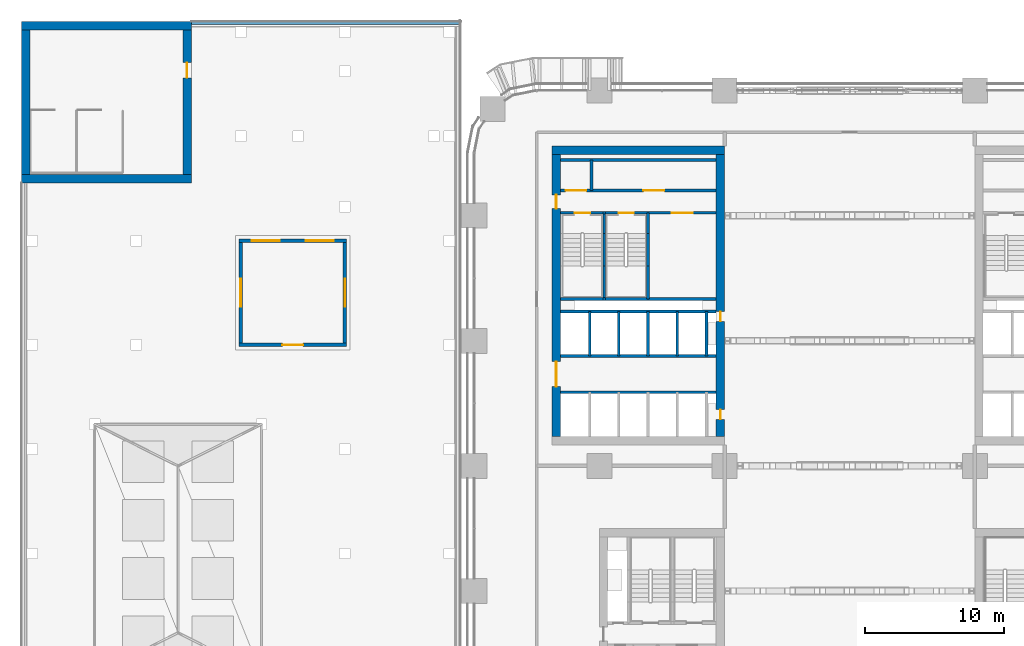
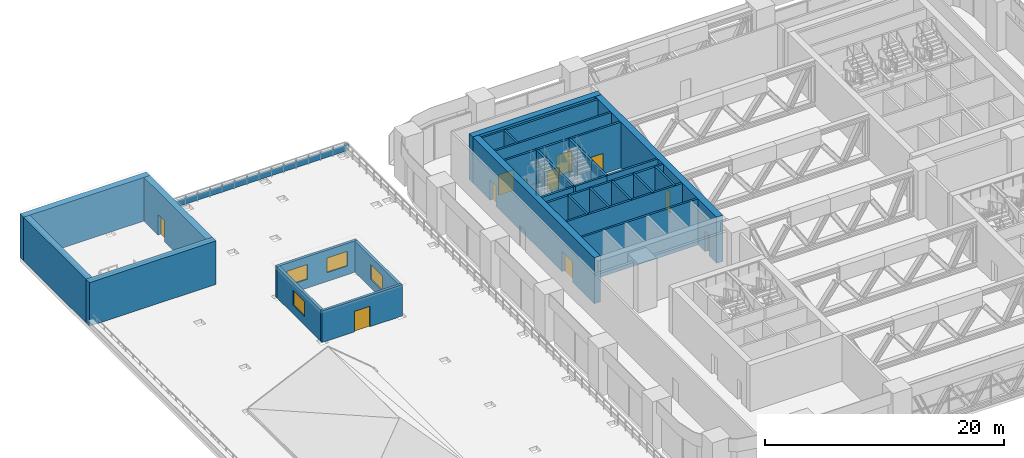
# One storey, part 24 of 35: 37 walls, 11 doors, 4 windows, 15 openings.
"""IFC4 building model written with IfcOpenShell, lengths in metres."""

from ifc_helpers import new_model, si_unit, direction, frame, frame_2d, origin, place, context, subcontext, project, spatial, rectangle, extrude, material, layer, layer_set, type_object, element, fill, save


model = new_model("IFC4")

# Units and contexts
model_context = context("Model", 3, precision=1e-05, world=origin(), true_north=direction((0.0, 1.0)))
body_context = subcontext(model_context, "Body", "Model", "MODEL_VIEW")
ifc_project = project(units=[si_unit("LENGTHUNIT", "METRE"), si_unit("AREAUNIT", "SQUARE_METRE"), si_unit("VOLUMEUNIT", "CUBIC_METRE"), si_unit("PLANEANGLEUNIT", "RADIAN"), si_unit("MASSUNIT", "GRAM", prefix="KILO")], contexts=[model_context])

# Site, building, storey
site_placement = place(None, origin())
site = spatial("IfcSite", under=ifc_project, at=site_placement, CompositionType="ELEMENT")
building_placement = place(site_placement, origin())
building = spatial("IfcBuilding", under=site, at=building_placement, Name="Tessera Arch", CompositionType="ELEMENT")
storey_placement = place(building_placement, frame((0.0, 0.0, 26.0)))
storey = spatial("IfcBuildingStorey", under=building, at=storey_placement, Name="L04", CompositionType="ELEMENT", Elevation=26.0)

# Wall
ifc_material_1 = material(Name="Gypsum board on steel stud", Category="steel")
ifc_layer_1 = layer(ifc_material_1, 0.125)
ifc_layer_set_1 = layer_set([ifc_layer_1], Name="Core partition 125 EI 60")
wall_type_1 = type_object("IfcWallType", Name="Core partition 125 EI 60", PredefinedType="PARTITIONING", material=ifc_layer_set_1)
wall_1_placement = place(storey_placement, frame((8.43994140625, 46.800048828125, 0.0), z_axis=(0.0, 0.0, 1.0), x_axis=(0.0, 1.0, 0.0)))
element("IfcWall", 1, at=wall_1_placement, inside=storey, type_object=wall_type_1, Name="L04 C2 partition wall 3", PredefinedType="PARTITIONING", context=body_context, shape_type="SweptSolid", body=[
    extrude(rectangle(XDim=2.199951171875, YDim=0.199951171875, at=frame_2d((1.10009765625, 0.0))), origin(), (0.0, 0.0, 1.0), 4.699951171875),
])

# Wall, opening, door
wall_2_placement = place(storey_placement, frame((12.5, 45.199951171875, 0.0), z_axis=(0.0, 0.0, 1.0), x_axis=(1.0, 0.0, 0.0)))
wall_2 = element("IfcWall", 2, at=wall_2_placement, inside=storey, type_object=wall_type_1, Name="L04 C2 partition wall 25", PredefinedType="PARTITIONING", context=body_context, shape_type="SweptSolid", body=[
    extrude(rectangle(XDim=4.89990234375, YDim=0.199951171875, at=frame_2d((2.449951171875, 0.0))), origin(), (0.0, 0.0, 1.0), 4.699951171875),
])
opening_1_placement = place(wall_2_placement, frame((1.699951171875, 0.0, 0.0)))
opening_1 = element("IfcOpeningElement", 3, at=opening_1_placement, cuts=wall_2, Name="Opening L04-C21", PredefinedType="OPENING", context=body_context, shape_type="SweptSolid", body=[
    extrude(rectangle(XDim=1.5, YDim=2.10009765625, at=frame_2d((0.75, 1.050048828125))), frame((0.0, 0.10986328125, 0.0), z_axis=(0.0, -1.0, 0.0), x_axis=(1.0, 0.0, 0.0)), (0.0, 0.0, 1.0), 0.219970703125),
])
ifc_material_2 = material(Name="Steel door leaf", Category="steel")
door_type_1 = type_object("IfcDoorType", Name="Plant door FD60 1500 x 2100", OperationType="DOUBLE_DOOR_SINGLE_SWING", PredefinedType="DOOR", material=ifc_material_2)
door_1_placement = place(opening_1_placement, origin())
door_1 = element("IfcDoor", 4, at=door_1_placement, inside=storey, type_object=door_type_1, Name="L04 C2 door 9 C21 type D08", OperationType="DOUBLE_DOOR_SINGLE_SWING", OverallHeight=2.10009765625, OverallWidth=1.5, PredefinedType="DOOR", context=body_context, shape_type="SweptSolid", body=[
    extrude(rectangle(XDim=1.5, YDim=2.10009765625, at=frame_2d((0.75, 1.050048828125))), frame((0.0, 0.02490234375, 0.0), z_axis=(0.0, -1.0, 0.0), x_axis=(1.0, 0.0, 0.0)), (0.0, 0.0, 1.0), 0.050048828125),
])
fill(opening_1, door_1)

# Wall, openings, doors
wall_3_placement = place(storey_placement, frame((6.199951171875, 46.800048828125, 0.0), z_axis=(0.0, 0.0, 1.0), x_axis=(1.0, 0.0, 0.0)))
wall_3 = element("IfcWall", 5, at=wall_3_placement, inside=storey, type_object=wall_type_1, Name="L04 C2 partition wall 29", PredefinedType="PARTITIONING", context=body_context, shape_type="SweptSolid", body=[
    extrude(rectangle(XDim=11.199951171875, YDim=0.199951171875, at=frame_2d((5.60009765625, 0.0))), origin(), (0.0, 0.0, 1.0), 4.699951171875),
])
opening_2_placement = place(wall_3_placement, frame((0.3701171875, 0.0, 0.0)))
opening_2 = element("IfcOpeningElement", 6, at=opening_2_placement, cuts=wall_3, Name="Opening L04-C19", PredefinedType="OPENING", context=body_context, shape_type="SweptSolid", body=[
    extrude(rectangle(XDim=1.5, YDim=2.10009765625, at=frame_2d((0.75, 1.050048828125))), frame((0.0, 0.10986328125, 0.0), z_axis=(0.0, -1.0, 0.0), x_axis=(1.0, 0.0, 0.0)), (0.0, 0.0, 1.0), 0.219970703125),
])
opening_3_placement = place(wall_3_placement, frame((5.969970703125, 0.0, 0.0)))
opening_3 = element("IfcOpeningElement", 7, at=opening_3_placement, cuts=wall_3, Name="Opening L04-C20", PredefinedType="OPENING", context=body_context, shape_type="SweptSolid", body=[
    extrude(rectangle(XDim=1.5, YDim=2.10009765625, at=frame_2d((0.75, 1.050048828125))), frame((0.0, 0.10986328125, 0.0), z_axis=(0.0, -1.0, 0.0), x_axis=(1.0, 0.0, 0.0)), (0.0, 0.0, 1.0), 0.219970703125),
])
door_2_placement = place(opening_2_placement, origin())
door_2 = element("IfcDoor", 8, at=door_2_placement, inside=storey, type_object=door_type_1, Name="L04 C2 door 7 C19 type D08", OperationType="DOUBLE_DOOR_SINGLE_SWING", OverallHeight=2.10009765625, OverallWidth=1.5, PredefinedType="DOOR", context=body_context, shape_type="SweptSolid", body=[
    extrude(rectangle(XDim=1.5, YDim=2.10009765625, at=frame_2d((0.75, 1.050048828125))), frame((0.0, 0.02490234375, 0.0), z_axis=(0.0, -1.0, 0.0), x_axis=(1.0, 0.0, 0.0)), (0.0, 0.0, 1.0), 0.050048828125),
])
fill(opening_2, door_2)
door_3_placement = place(opening_3_placement, origin())
door_3 = element("IfcDoor", 9, at=door_3_placement, inside=storey, type_object=door_type_1, Name="L04 C2 door 8 C20 type D08", OperationType="DOUBLE_DOOR_SINGLE_SWING", OverallHeight=2.10009765625, OverallWidth=1.5, PredefinedType="DOOR", context=body_context, shape_type="SweptSolid", body=[
    extrude(rectangle(XDim=1.5, YDim=2.10009765625, at=frame_2d((0.75, 1.050048828125))), frame((0.0, 0.02490234375, 0.0), z_axis=(0.0, -1.0, 0.0), x_axis=(1.0, 0.0, 0.0)), (0.0, 0.0, 1.0), 0.050048828125),
])
fill(opening_3, door_3)

# Walls
wall_4_placement = place(storey_placement, frame((6.199951171875, 49.0, 0.0), z_axis=(0.0, 0.0, 1.0), x_axis=(1.0, 0.0, 0.0)))
element("IfcWall", 10, at=wall_4_placement, inside=storey, type_object=wall_type_1, Name="L04 C2 partition wall 30", PredefinedType="PARTITIONING", context=body_context, shape_type="SweptSolid", body=[
    extrude(rectangle(XDim=11.199951171875, YDim=0.199951171875, at=frame_2d((5.60009765625, 0.0))), origin(), (0.0, 0.0, 1.0), 4.699951171875),
])
ifc_material_3 = material(Name="Concrete C70/85", Category="concrete")
ifc_layer_2 = layer(ifc_material_3, 0.60009765625)
ifc_layer_set_2 = layer_set([ifc_layer_2], Name="Core shell wall 600 C70-85")
wall_type_2 = type_object("IfcWallType", Name="Core shell wall 600 C70-85", PredefinedType="SHEAR", material=ifc_layer_set_2)
wall_5_placement = place(storey_placement, frame((5.60009765625, 49.699951171875, 0.0), z_axis=(0.0, 0.0, 1.0), x_axis=(1.0, 0.0, 0.0)))
element("IfcWall", 11, at=wall_5_placement, inside=storey, type_object=wall_type_2, Name="L04 C2 core wall N", PredefinedType="SHEAR", context=body_context, shape_type="SweptSolid", body=[
    extrude(rectangle(XDim=12.39990234375, YDim=0.60009765625, at=frame_2d((6.199951171875, 0.0))), origin(), (0.0, 0.0, 1.0), 4.699951171875),
])

# Wall, openings, doors
wall_6_placement = place(storey_placement, frame((5.89990234375, 29.10009765625, 0.0), z_axis=(0.0, 0.0, 1.0), x_axis=(0.0, 1.0, 0.0)))
wall_6 = element("IfcWall", 12, at=wall_6_placement, inside=storey, type_object=wall_type_2, Name="L04 C2 core wall W", PredefinedType="SHEAR", context=body_context, shape_type="SweptSolid", body=[
    extrude(rectangle(XDim=20.2998046875, YDim=0.60009765625, at=frame_2d((10.14990234375, 0.0))), origin(), (0.0, 0.0, 1.0), 4.699951171875),
])
opening_4_placement = place(wall_6_placement, frame((3.60009765625, 0.0, 0.0)))
opening_4 = element("IfcOpeningElement", 13, at=opening_4_placement, cuts=wall_6, Name="Opening L04-C15", PredefinedType="OPENING", context=body_context, shape_type="SweptSolid", body=[
    extrude(rectangle(XDim=1.800048828125, YDim=2.10009765625, at=frame_2d((0.89990234375, 1.050048828125))), frame((0.0, 0.31005859375, 0.0), z_axis=(0.0, -1.0, 0.0), x_axis=(1.0, 0.0, 0.0)), (0.0, 0.0, 1.0), 0.6201171875),
])
opening_5_placement = place(wall_6_placement, frame((16.39990234375, 0.0, 0.0)))
opening_5 = element("IfcOpeningElement", 14, at=opening_5_placement, cuts=wall_6, Name="Opening L04-C18", PredefinedType="OPENING", context=body_context, shape_type="SweptSolid", body=[
    extrude(rectangle(XDim=1.0, YDim=2.10009765625, at=frame_2d((0.5, 1.050048828125))), frame((0.0, 0.31005859375, 0.0), z_axis=(0.0, -1.0, 0.0), x_axis=(1.0, 0.0, 0.0)), (0.0, 0.0, 1.0), 0.6201171875),
])
ifc_material_4 = material(Name="Steel door leaf", Category="steel")
door_type_2 = type_object("IfcDoorType", Name="Corridor door FD60 1000 x 2100", OperationType="SINGLE_SWING_LEFT", PredefinedType="DOOR", material=ifc_material_4)
door_4_placement = place(opening_5_placement, origin())
door_4 = element("IfcDoor", 15, at=door_4_placement, inside=storey, type_object=door_type_2, Name="L04 C2 door 6 C18 type D12", OperationType="SINGLE_SWING_RIGHT", OverallHeight=2.10009765625, OverallWidth=1.0, PredefinedType="DOOR", context=body_context, shape_type="SweptSolid", body=[
    extrude(rectangle(XDim=1.0, YDim=2.10009765625, at=frame_2d((0.5, 1.050048828125))), frame((0.0, 0.02490234375, 0.0), z_axis=(0.0, -1.0, 0.0), x_axis=(1.0, 0.0, 0.0)), (0.0, 0.0, 1.0), 0.050048828125),
])
fill(opening_5, door_4)
ifc_material_5 = material(Name="Glazed steel door leaf", Category="steel")
door_type_3 = type_object("IfcDoorType", Name="Lobby double door FD60 1800 x 2100", OperationType="DOUBLE_DOOR_SINGLE_SWING", PredefinedType="DOOR", material=ifc_material_5)
door_5_placement = place(opening_4_placement, origin())
door_5 = element("IfcDoor", 16, at=door_5_placement, inside=storey, type_object=door_type_3, Name="L04 C2 door 3 C15 type D19", OperationType="DOUBLE_DOOR_SINGLE_SWING", OverallHeight=2.10009765625, OverallWidth=1.800048828125, PredefinedType="DOOR", context=body_context, shape_type="SweptSolid", body=[
    extrude(rectangle(XDim=1.800048828125, YDim=2.10009765625, at=frame_2d((0.89990234375, 1.050048828125))), frame((0.0, 0.02490234375, 0.0), z_axis=(0.0, -1.0, 0.0), x_axis=(1.0, 0.0, 0.0)), (0.0, 0.0, 1.0), 0.050048828125),
])
fill(opening_4, door_5)

wall_7_placement = place(storey_placement, frame((17.699951171875, 29.10009765625, 0.0), z_axis=(0.0, 0.0, 1.0), x_axis=(0.0, 1.0, 0.0)))
wall_7 = element("IfcWall", 17, at=wall_7_placement, inside=storey, type_object=wall_type_2, Name="L04 C2 core wall E", PredefinedType="SHEAR", context=body_context, shape_type="SweptSolid", body=[
    extrude(rectangle(XDim=20.2998046875, YDim=0.60009765625, at=frame_2d((10.14990234375, 0.0))), origin(), (0.0, 0.0, 1.0), 4.699951171875),
])
opening_6_placement = place(wall_7_placement, frame((1.25, 0.0, 0.0)))
opening_6 = element("IfcOpeningElement", 18, at=opening_6_placement, cuts=wall_7, Name="Opening L04-C13", PredefinedType="OPENING", context=body_context, shape_type="SweptSolid", body=[
    extrude(rectangle(XDim=0.699951171875, YDim=2.10009765625, at=frame_2d((0.35009765625, 1.050048828125))), frame((0.0, 0.31005859375, 0.0), z_axis=(0.0, -1.0, 0.0), x_axis=(1.0, 0.0, 0.0)), (0.0, 0.0, 1.0), 0.6201171875),
])
opening_7_placement = place(wall_7_placement, frame((8.300048828125, 0.0, 0.0)))
opening_7 = element("IfcOpeningElement", 19, at=opening_7_placement, cuts=wall_7, Name="Opening L04-C14", PredefinedType="OPENING", context=body_context, shape_type="SweptSolid", body=[
    extrude(rectangle(XDim=0.699951171875, YDim=2.10009765625, at=frame_2d((0.35009765625, 1.050048828125))), frame((0.0, 0.31005859375, 0.0), z_axis=(0.0, -1.0, 0.0), x_axis=(1.0, 0.0, 0.0)), (0.0, 0.0, 1.0), 0.6201171875),
])
ifc_material_6 = material(Name="Steel door leaf", Category="steel")
door_type_4 = type_object("IfcDoorType", Name="Service shaft door FD60 700 x 2100", OperationType="SINGLE_SWING_LEFT", PredefinedType="DOOR", material=ifc_material_6)
door_6_placement = place(opening_6_placement, origin())
door_6 = element("IfcDoor", 20, at=door_6_placement, inside=storey, type_object=door_type_4, Name="L04 C2 door 1 C13 type D07", OperationType="SINGLE_SWING_LEFT", OverallHeight=2.10009765625, OverallWidth=0.699951171875, PredefinedType="DOOR", context=body_context, shape_type="SweptSolid", body=[
    extrude(rectangle(XDim=0.699951171875, YDim=2.10009765625, at=frame_2d((0.35009765625, 1.050048828125))), frame((0.0, 0.02490234375, 0.0), z_axis=(0.0, -1.0, 0.0), x_axis=(1.0, 0.0, 0.0)), (0.0, 0.0, 1.0), 0.050048828125),
])
fill(opening_6, door_6)
door_7_placement = place(opening_7_placement, origin())
door_7 = element("IfcDoor", 21, at=door_7_placement, inside=storey, type_object=door_type_4, Name="L04 C2 door 2 C14 type D07", OperationType="SINGLE_SWING_LEFT", OverallHeight=2.10009765625, OverallWidth=0.699951171875, PredefinedType="DOOR", context=body_context, shape_type="SweptSolid", body=[
    extrude(rectangle(XDim=0.699951171875, YDim=2.10009765625, at=frame_2d((0.35009765625, 1.050048828125))), frame((0.0, 0.02490234375, 0.0), z_axis=(0.0, -1.0, 0.0), x_axis=(1.0, 0.0, 0.0)), (0.0, 0.0, 1.0), 0.050048828125),
])
fill(opening_7, door_7)

# Walls
for number, where, z_axis, x_axis, name in (
    (22, (-32.550048828125, 47.64990234375, 0.0), (0.0, 0.0, 1.0), (1.0, 0.0, 0.0), "L04 M1 core wall S"),
    (23, (-32.550048828125, 58.64990234375, 0.0), (0.0, 0.0, 1.0), (1.0, 0.0, 0.0), "L04 M1 core wall N"),
):
    element("IfcWall", number, at=place(storey_placement, frame(where, z_axis=z_axis, x_axis=x_axis)), inside=storey, type_object=wall_type_2, Name=name, PredefinedType="SHEAR", context=body_context, shape_type="SweptSolid", body=[
        extrude(rectangle(XDim=12.199951171875, YDim=0.60009765625, at=frame_2d((6.10009765625, 0.0))), origin(), (0.0, 0.0, 1.0), 4.449951171875),
    ])
wall_8_placement = place(storey_placement, frame((-32.25, 47.949951171875, 0.0), z_axis=(0.0, 0.0, 1.0), x_axis=(0.0, 1.0, 0.0)))
element("IfcWall", 24, at=wall_8_placement, inside=storey, type_object=wall_type_2, Name="L04 M1 core wall W", PredefinedType="SHEAR", context=body_context, shape_type="SweptSolid", body=[
    extrude(rectangle(XDim=10.400146484375, YDim=0.60009765625, at=frame_2d((5.2001953125, 0.0))), origin(), (0.0, 0.0, 1.0), 4.449951171875),
])

# Wall, opening, door
wall_9_placement = place(storey_placement, frame((-20.64990234375, 47.949951171875, 0.0), z_axis=(0.0, 0.0, 1.0), x_axis=(0.0, 1.0, 0.0)))
wall_9 = element("IfcWall", 25, at=wall_9_placement, inside=storey, type_object=wall_type_2, Name="L04 M1 core wall E", PredefinedType="SHEAR", context=body_context, shape_type="SweptSolid", body=[
    extrude(rectangle(XDim=10.400146484375, YDim=0.60009765625, at=frame_2d((5.2001953125, 0.0))), origin(), (0.0, 0.0, 1.0), 4.449951171875),
])
opening_8_placement = place(wall_9_placement, frame((8.050048828125, 0.0, 0.0), z_axis=(0.0, 0.0, 1.0), x_axis=(-1.0, 0.0, 0.0)))
opening_8 = element("IfcOpeningElement", 26, at=opening_8_placement, cuts=wall_9, Name="Opening L04-C40", PredefinedType="OPENING", context=body_context, shape_type="SweptSolid", body=[
    extrude(rectangle(XDim=1.10009765625, YDim=2.10009765625, at=frame_2d((0.550048828125, 1.050048828125))), frame((0.0, 0.31005859375, 0.0), z_axis=(0.0, -1.0, 0.0), x_axis=(1.0, 0.0, 0.0)), (0.0, 0.0, 1.0), 0.6201171875),
])
ifc_material_7 = material(Name="Steel door leaf", Category="steel")
door_type_5 = type_object("IfcDoorType", Name="Stair door FD60 1100 x 2100", OperationType="SINGLE_SWING_LEFT", PredefinedType="DOOR", material=ifc_material_7)
door_8_placement = place(opening_8_placement, origin())
door_8 = element("IfcDoor", 27, at=door_8_placement, inside=storey, type_object=door_type_5, Name="L04 M1 door 1 C40 type D05", OperationType="SINGLE_SWING_RIGHT", OverallHeight=2.10009765625, OverallWidth=1.10009765625, PredefinedType="DOOR", context=body_context, shape_type="SweptSolid", body=[
    extrude(rectangle(XDim=1.10009765625, YDim=2.10009765625, at=frame_2d((0.550048828125, 1.050048828125))), frame((0.0, 0.02490234375, 0.0), z_axis=(0.0, -1.0, 0.0), x_axis=(1.0, 0.0, 0.0)), (0.0, 0.0, 1.0), 0.050048828125),
])
fill(opening_8, door_8)

# Wall
ifc_material_8 = material(Name="Aluminium cladding pale metal anodised", Category="aluminium")
ifc_layer_3 = layer(ifc_material_8, 0.219970703125)
ifc_layer_set_3 = layer_set([ifc_layer_3], Name="Museum parapet")
wall_type_3 = type_object("IfcWallType", Name="Museum parapet", PredefinedType="PARAPET", material=ifc_layer_set_3)
wall_10_placement = place(storey_placement, frame((-0.93994140625, 58.840087890625, 0.0), z_axis=(0.0, 0.0, 1.0), x_axis=(-1.0, 0.0, 0.0)))
element("IfcWall", 28, at=wall_10_placement, inside=storey, type_object=wall_type_3, Name="Museum roof parapet", PredefinedType="PARAPET", context=body_context, shape_type="SweptSolid", body=[
    extrude(rectangle(XDim=19.41015625, YDim=0.219970703125, at=frame_2d((9.705078125, 0.0))), origin(), (0.0, 0.0, 1.0), 0.60009765625),
])

# Wall, opening, door
ifc_material_9 = material(Name="Concrete C40/50", Category="concrete")
ifc_layer_4 = layer(ifc_material_9, 0.25)
ifc_layer_set_4 = layer_set([ifc_layer_4], Name="Pavilion wall 250 Concrete C40/50")
wall_type_4 = type_object("IfcWallType", Name="Pavilion wall 250 Concrete C40/50", PredefinedType="SOLIDWALL", material=ifc_layer_set_4)
wall_11_placement = place(storey_placement, frame((-16.925048828125, 35.699951171875, 0.0), z_axis=(0.0, 0.0, 1.0), x_axis=(1.0, 0.0, 0.0)))
wall_11 = element("IfcWall", 29, at=wall_11_placement, inside=storey, type_object=wall_type_4, Name="Roof terrace pavilion wall", PredefinedType="SOLIDWALL", context=body_context, shape_type="SweptSolid", body=[
    extrude(rectangle(XDim=7.75, YDim=0.25, at=frame_2d((3.875, 0.0))), origin(), (0.0, 0.0, 1.0), 3.199951171875),
])
opening_9_placement = place(wall_11_placement, frame((3.125, 0.0, 0.0)))
opening_9 = element("IfcOpeningElement", 30, at=opening_9_placement, cuts=wall_11, Name="Opening L04-PD01", PredefinedType="OPENING", context=body_context, shape_type="SweptSolid", body=[
    extrude(rectangle(XDim=1.5, YDim=2.10009765625, at=frame_2d((0.75, 1.050048828125))), frame((0.0, 0.135009765625, 0.0), z_axis=(0.0, -1.0, 0.0), x_axis=(1.0, 0.0, 0.0)), (0.0, 0.0, 1.0), 0.27001953125),
])
ifc_material_10 = material(Name="Aluminium frame and clear glass", Category="aluminium")
door_type_6 = type_object("IfcDoorType", Name="Terrace door glazed double leaf", OperationType="DOUBLE_DOOR_SINGLE_SWING", PredefinedType="DOOR", material=ifc_material_10)
door_9_placement = place(opening_9_placement, origin())
door_9 = element("IfcDoor", 31, at=door_9_placement, inside=storey, type_object=door_type_6, Name="Roof terrace pavilion door PD01", OperationType="DOUBLE_DOOR_SINGLE_SWING", OverallHeight=2.10009765625, OverallWidth=1.5, PredefinedType="DOOR", context=body_context, shape_type="SweptSolid", body=[
    extrude(rectangle(XDim=1.5, YDim=2.10009765625, at=frame_2d((0.75, 1.050048828125))), frame((0.0, 0.02490234375, 0.0), z_axis=(0.0, -1.0, 0.0), x_axis=(1.0, 0.0, 0.0)), (0.0, 0.0, 1.0), 0.050048828125),
])
fill(opening_9, door_9)

# Wall, openings, windows
wall_12_placement = place(storey_placement, frame((-16.925048828125, 43.199951171875, 0.0), z_axis=(0.0, 0.0, 1.0), x_axis=(1.0, 0.0, 0.0)))
wall_12 = element("IfcWall", 32, at=wall_12_placement, inside=storey, type_object=wall_type_4, Name="Roof terrace pavilion wall", PredefinedType="SOLIDWALL", context=body_context, shape_type="SweptSolid", body=[
    extrude(rectangle(XDim=7.75, YDim=0.25, at=frame_2d((3.875, 0.0))), origin(), (0.0, 0.0, 1.0), 3.199951171875),
])
opening_10_placement = place(wall_12_placement, frame((0.9375, 0.0, 0.89990234375)))
opening_10 = element("IfcOpeningElement", 33, at=opening_10_placement, cuts=wall_12, Name="Opening L04-PVN1", PredefinedType="OPENING", context=body_context, shape_type="SweptSolid", body=[
    extrude(rectangle(XDim=2.0, YDim=1.5, at=frame_2d((1.0, 0.75))), frame((0.0, 0.135009765625, 0.0), z_axis=(0.0, -1.0, 0.0), x_axis=(1.0, 0.0, 0.0)), (0.0, 0.0, 1.0), 0.27001953125),
])
opening_11_placement = place(wall_12_placement, frame((4.8125, 0.0, 0.89990234375)))
opening_11 = element("IfcOpeningElement", 34, at=opening_11_placement, cuts=wall_12, Name="Opening L04-PVN2", PredefinedType="OPENING", context=body_context, shape_type="SweptSolid", body=[
    extrude(rectangle(XDim=2.0, YDim=1.5, at=frame_2d((1.0, 0.75))), frame((0.0, 0.135009765625, 0.0), z_axis=(0.0, -1.0, 0.0), x_axis=(1.0, 0.0, 0.0)), (0.0, 0.0, 1.0), 0.27001953125),
])
ifc_material_11 = material(Name="Clear low-e glass in aluminium frame", Category="aluminium")
window_type = type_object("IfcWindowType", Name="Pavilion window", PartitioningType="SINGLE_PANEL", PredefinedType="WINDOW", material=ifc_material_11)
window_1_placement = place(opening_10_placement, origin())
window_1 = element("IfcWindow", 35, at=window_1_placement, inside=storey, type_object=window_type, Name="Roof terrace pavilion window N1", OverallHeight=1.5, OverallWidth=2.0, PartitioningType="SINGLE_PANEL", PredefinedType="WINDOW", context=body_context, shape_type="SweptSolid", body=[
    extrude(rectangle(XDim=2.0, YDim=1.5, at=frame_2d((1.0, 0.75))), frame((0.0, 0.030029296875, 0.0), z_axis=(0.0, -1.0, 0.0), x_axis=(1.0, 0.0, 0.0)), (0.0, 0.0, 1.0), 0.06005859375),
])
fill(opening_10, window_1)
window_2_placement = place(opening_11_placement, origin())
window_2 = element("IfcWindow", 36, at=window_2_placement, inside=storey, type_object=window_type, Name="Roof terrace pavilion window N2", OverallHeight=1.5, OverallWidth=2.0, PartitioningType="SINGLE_PANEL", PredefinedType="WINDOW", context=body_context, shape_type="SweptSolid", body=[
    extrude(rectangle(XDim=2.0, YDim=1.5, at=frame_2d((1.0, 0.75))), frame((0.0, 0.030029296875, 0.0), z_axis=(0.0, -1.0, 0.0), x_axis=(1.0, 0.0, 0.0)), (0.0, 0.0, 1.0), 0.06005859375),
])
fill(opening_11, window_2)

# Wall, opening, window
wall_13_placement = place(storey_placement, frame((-16.800048828125, 35.824951171875, 0.0), z_axis=(0.0, 0.0, 1.0), x_axis=(0.0, 1.0, 0.0)))
wall_13 = element("IfcWall", 37, at=wall_13_placement, inside=storey, type_object=wall_type_4, Name="Roof terrace pavilion wall", PredefinedType="SOLIDWALL", context=body_context, shape_type="SweptSolid", body=[
    extrude(rectangle(XDim=7.25, YDim=0.25, at=frame_2d((3.625, 0.0))), origin(), (0.0, 0.0, 1.0), 3.199951171875),
])
opening_12_placement = place(wall_13_placement, frame((2.625, 0.0, 0.89990234375)))
opening_12 = element("IfcOpeningElement", 38, at=opening_12_placement, cuts=wall_13, Name="Opening L04-PVW1", PredefinedType="OPENING", context=body_context, shape_type="SweptSolid", body=[
    extrude(rectangle(XDim=2.0, YDim=1.5, at=frame_2d((1.0, 0.75))), frame((0.0, 0.135009765625, 0.0), z_axis=(0.0, -1.0, 0.0), x_axis=(1.0, 0.0, 0.0)), (0.0, 0.0, 1.0), 0.27001953125),
])
window_3_placement = place(opening_12_placement, origin())
window_3 = element("IfcWindow", 39, at=window_3_placement, inside=storey, type_object=window_type, Name="Roof terrace pavilion window W1", OverallHeight=1.5, OverallWidth=2.0, PartitioningType="SINGLE_PANEL", PredefinedType="WINDOW", context=body_context, shape_type="SweptSolid", body=[
    extrude(rectangle(XDim=2.0, YDim=1.5, at=frame_2d((1.0, 0.75))), frame((0.0, 0.030029296875, 0.0), z_axis=(0.0, -1.0, 0.0), x_axis=(1.0, 0.0, 0.0)), (0.0, 0.0, 1.0), 0.06005859375),
])
fill(opening_12, window_3)

wall_14_placement = place(storey_placement, frame((-9.300048828125, 35.824951171875, 0.0), z_axis=(0.0, 0.0, 1.0), x_axis=(0.0, 1.0, 0.0)))
wall_14 = element("IfcWall", 40, at=wall_14_placement, inside=storey, type_object=wall_type_4, Name="Roof terrace pavilion wall", PredefinedType="SOLIDWALL", context=body_context, shape_type="SweptSolid", body=[
    extrude(rectangle(XDim=7.25, YDim=0.25, at=frame_2d((3.625, 0.0))), origin(), (0.0, 0.0, 1.0), 3.199951171875),
])
opening_13_placement = place(wall_14_placement, frame((2.625, 0.0, 0.89990234375)))
opening_13 = element("IfcOpeningElement", 41, at=opening_13_placement, cuts=wall_14, Name="Opening L04-PVE1", PredefinedType="OPENING", context=body_context, shape_type="SweptSolid", body=[
    extrude(rectangle(XDim=2.0, YDim=1.5, at=frame_2d((1.0, 0.75))), frame((0.0, 0.135009765625, 0.0), z_axis=(0.0, -1.0, 0.0), x_axis=(1.0, 0.0, 0.0)), (0.0, 0.0, 1.0), 0.27001953125),
])
window_4_placement = place(opening_13_placement, origin())
window_4 = element("IfcWindow", 42, at=window_4_placement, inside=storey, type_object=window_type, Name="Roof terrace pavilion window E1", OverallHeight=1.5, OverallWidth=2.0, PartitioningType="SINGLE_PANEL", PredefinedType="WINDOW", context=body_context, shape_type="SweptSolid", body=[
    extrude(rectangle(XDim=2.0, YDim=1.5, at=frame_2d((1.0, 0.75))), frame((0.0, 0.030029296875, 0.0), z_axis=(0.0, -1.0, 0.0), x_axis=(1.0, 0.0, 0.0)), (0.0, 0.0, 1.0), 0.06005859375),
])
fill(opening_13, window_4)

# Walls
ifc_material_12 = material(Name="Concrete C40/50", Category="concrete")
ifc_layer_5 = layer(ifc_material_12, 0.199951171875)
ifc_layer_set_5 = layer_set([ifc_layer_5], Name="Shaft wall 200 EI 120")
wall_type_5 = type_object("IfcWallType", Name="Shaft wall 200 EI 120", PredefinedType="SOLIDWALL", material=ifc_layer_set_5)
for number, where, z_axis, x_axis, name in (
    (43, (8.300048828125, 34.89990234375, 0.0), (0.0, 0.0, 1.0), (0.0, 1.0, 0.0), "L04 C2 shaft wall 2"),
    (44, (10.39990234375, 34.89990234375, 0.0), (0.0, 0.0, 1.0), (0.0, 1.0, 0.0), "L04 C2 shaft wall 8"),
    (45, (12.5, 34.89990234375, 0.0), (0.0, 0.0, 1.0), (0.0, 1.0, 0.0), "L04 C2 shaft wall 10"),
    (46, (14.60009765625, 34.89990234375, 0.0), (0.0, 0.0, 1.0), (0.0, 1.0, 0.0), "L04 C2 shaft wall 15"),
    (47, (16.699951171875, 34.89990234375, 0.0), (0.0, 0.0, 1.0), (0.0, 1.0, 0.0), "L04 C2 shaft wall 17"),
):
    element("IfcWall", number, at=place(storey_placement, frame(where, z_axis=z_axis, x_axis=x_axis)), inside=storey, type_object=wall_type_5, Name=name, PredefinedType="SOLIDWALL", context=body_context, shape_type="SweptSolid", body=[
        extrude(rectangle(XDim=3.2001953125, YDim=0.199951171875, at=frame_2d((1.60009765625, 0.0))), origin(), (0.0, 0.0, 1.0), 4.699951171875),
    ])
for number, where, z_axis, x_axis, name in (
    (48, (6.199951171875, 32.300048828125, 0.0), (0.0, 0.0, 1.0), (1.0, 0.0, 0.0), "L04 C2 shaft wall 18"),
    (49, (6.199951171875, 34.89990234375, 0.0), (0.0, 0.0, 1.0), (1.0, 0.0, 0.0), "L04 C2 shaft wall 19"),
    (50, (6.199951171875, 38.10009765625, 0.0), (0.0, 0.0, 1.0), (1.0, 0.0, 0.0), "L04 C2 shaft wall 20"),
):
    element("IfcWall", number, at=place(storey_placement, frame(where, z_axis=z_axis, x_axis=x_axis)), inside=storey, type_object=wall_type_5, Name=name, PredefinedType="SOLIDWALL", context=body_context, shape_type="SweptSolid", body=[
        extrude(rectangle(XDim=11.199951171875, YDim=0.199951171875, at=frame_2d((5.60009765625, 0.0))), origin(), (0.0, 0.0, 1.0), 4.699951171875),
    ])
wall_15_placement = place(storey_placement, frame((12.5, 39.0, 0.0), z_axis=(0.0, 0.0, 1.0), x_axis=(1.0, 0.0, 0.0)))
element("IfcWall", 51, at=wall_15_placement, inside=storey, type_object=wall_type_5, Name="L04 C2 shaft wall 21", PredefinedType="SOLIDWALL", context=body_context, shape_type="SweptSolid", body=[
    extrude(rectangle(XDim=4.89990234375, YDim=0.199951171875, at=frame_2d((2.449951171875, 0.0))), origin(), (0.0, 0.0, 1.0), 4.699951171875),
])
ifc_material_13 = material(Name="Concrete C40/50", Category="concrete")
ifc_layer_6 = layer(ifc_material_13, 0.199951171875)
ifc_layer_set_6 = layer_set([ifc_layer_6], Name="Stair well wall 200 REI 180")
wall_type_6 = type_object("IfcWallType", Name="Stair well wall 200 REI 180", PredefinedType="SOLIDWALL", material=ifc_layer_set_6)
wall_16_placement = place(storey_placement, frame((9.35009765625, 39.0, 0.0), z_axis=(0.0, 0.0, 1.0), x_axis=(0.0, 1.0, 0.0)))
element("IfcWall", 52, at=wall_16_placement, inside=storey, type_object=wall_type_6, Name="L04 C2 shaft wall 4", PredefinedType="SOLIDWALL", context=body_context, shape_type="SweptSolid", body=[
    extrude(rectangle(XDim=2.389892578125, YDim=0.199951171875, at=frame_2d((1.19482421875, 0.0))), origin(), (0.0, 0.0, 1.0), 4.699951171875),
])
wall_17_placement = place(storey_placement, frame((9.35009765625, 41.389892578125, 0.0), z_axis=(0.0, 0.0, 1.0), x_axis=(0.0, 1.0, 0.0)))
element("IfcWall", 53, at=wall_17_placement, inside=storey, type_object=wall_type_6, Name="L04 C2 shaft wall 5", PredefinedType="SOLIDWALL", context=body_context, shape_type="SweptSolid", body=[
    extrude(rectangle(XDim=2.31005859375, YDim=0.199951171875, at=frame_2d((1.155029296875, 0.0))), origin(), (0.0, 0.0, 1.0), 4.699951171875),
])
wall_18_placement = place(storey_placement, frame((9.35009765625, 43.699951171875, 0.0), z_axis=(0.0, 0.0, 1.0), x_axis=(0.0, 1.0, 0.0)))
element("IfcWall", 54, at=wall_18_placement, inside=storey, type_object=wall_type_6, Name="L04 C2 shaft wall 6", PredefinedType="SOLIDWALL", context=body_context, shape_type="SweptSolid", body=[
    extrude(rectangle(XDim=1.5, YDim=0.199951171875, at=frame_2d((0.75, 0.0))), origin(), (0.0, 0.0, 1.0), 4.699951171875),
])
wall_19_placement = place(storey_placement, frame((12.5, 39.0, 0.0), z_axis=(0.0, 0.0, 1.0), x_axis=(0.0, 1.0, 0.0)))
element("IfcWall", 55, at=wall_19_placement, inside=storey, type_object=wall_type_6, Name="L04 C2 shaft wall 11", PredefinedType="SOLIDWALL", context=body_context, shape_type="SweptSolid", body=[
    extrude(rectangle(XDim=2.389892578125, YDim=0.199951171875, at=frame_2d((1.19482421875, 0.0))), origin(), (0.0, 0.0, 1.0), 4.699951171875),
])
wall_20_placement = place(storey_placement, frame((12.5, 41.389892578125, 0.0), z_axis=(0.0, 0.0, 1.0), x_axis=(0.0, 1.0, 0.0)))
element("IfcWall", 56, at=wall_20_placement, inside=storey, type_object=wall_type_6, Name="L04 C2 shaft wall 12", PredefinedType="SOLIDWALL", context=body_context, shape_type="SweptSolid", body=[
    extrude(rectangle(XDim=2.31005859375, YDim=0.199951171875, at=frame_2d((1.155029296875, 0.0))), origin(), (0.0, 0.0, 1.0), 4.699951171875),
])
wall_21_placement = place(storey_placement, frame((12.5, 43.699951171875, 0.0), z_axis=(0.0, 0.0, 1.0), x_axis=(0.0, 1.0, 0.0)))
element("IfcWall", 57, at=wall_21_placement, inside=storey, type_object=wall_type_6, Name="L04 C2 shaft wall 13", PredefinedType="SOLIDWALL", context=body_context, shape_type="SweptSolid", body=[
    extrude(rectangle(XDim=1.5, YDim=0.199951171875, at=frame_2d((0.75, 0.0))), origin(), (0.0, 0.0, 1.0), 4.699951171875),
])
wall_22_placement = place(storey_placement, frame((6.199951171875, 39.0, 0.0), z_axis=(0.0, 0.0, 1.0), x_axis=(1.0, 0.0, 0.0)))
element("IfcWall", 58, at=wall_22_placement, inside=storey, type_object=wall_type_6, Name="L04 C2 shaft wall 22", PredefinedType="SOLIDWALL", context=body_context, shape_type="SweptSolid", body=[
    extrude(rectangle(XDim=3.050048828125, YDim=0.199951171875, at=frame_2d((1.52490234375, 0.0))), origin(), (0.0, 0.0, 1.0), 4.699951171875),
])
wall_23_placement = place(storey_placement, frame((9.25, 39.0, 0.0), z_axis=(0.0, 0.0, 1.0), x_axis=(1.0, 0.0, 0.0)))
element("IfcWall", 59, at=wall_23_placement, inside=storey, type_object=wall_type_6, Name="L04 C2 shaft wall 23", PredefinedType="SOLIDWALL", context=body_context, shape_type="SweptSolid", body=[
    extrude(rectangle(XDim=0.199951171875, YDim=0.199951171875, at=frame_2d((0.10009765625, 0.0))), origin(), (0.0, 0.0, 1.0), 4.699951171875),
])
wall_24_placement = place(storey_placement, frame((9.449951171875, 39.0, 0.0), z_axis=(0.0, 0.0, 1.0), x_axis=(1.0, 0.0, 0.0)))
element("IfcWall", 60, at=wall_24_placement, inside=storey, type_object=wall_type_6, Name="L04 C2 shaft wall 24", PredefinedType="SOLIDWALL", context=body_context, shape_type="SweptSolid", body=[
    extrude(rectangle(XDim=3.050048828125, YDim=0.199951171875, at=frame_2d((1.52490234375, 0.0))), origin(), (0.0, 0.0, 1.0), 4.699951171875),
])

# Wall, opening, door
wall_25_placement = place(storey_placement, frame((6.199951171875, 45.199951171875, 0.0), z_axis=(0.0, 0.0, 1.0), x_axis=(1.0, 0.0, 0.0)))
wall_25 = element("IfcWall", 61, at=wall_25_placement, inside=storey, type_object=wall_type_6, Name="L04 C2 shaft wall 26", PredefinedType="SOLIDWALL", context=body_context, shape_type="SweptSolid", body=[
    extrude(rectangle(XDim=3.050048828125, YDim=0.199951171875, at=frame_2d((1.52490234375, 0.0))), origin(), (0.0, 0.0, 1.0), 4.699951171875),
])
opening_14_placement = place(wall_25_placement, frame((1.02490234375, 0.0, 0.0)))
opening_14 = element("IfcOpeningElement", 62, at=opening_14_placement, cuts=wall_25, Name="Opening L04-C16", PredefinedType="OPENING", context=body_context, shape_type="SweptSolid", body=[
    extrude(rectangle(XDim=1.10009765625, YDim=2.10009765625, at=frame_2d((0.550048828125, 1.050048828125))), frame((0.0, 0.10986328125, 0.0), z_axis=(0.0, -1.0, 0.0), x_axis=(1.0, 0.0, 0.0)), (0.0, 0.0, 1.0), 0.219970703125),
])
door_10_placement = place(opening_14_placement, origin())
door_10 = element("IfcDoor", 63, at=door_10_placement, inside=storey, type_object=door_type_5, Name="L04 C2 door 4 C16 type D05", OperationType="SINGLE_SWING_RIGHT", OverallHeight=2.10009765625, OverallWidth=1.10009765625, PredefinedType="DOOR", context=body_context, shape_type="SweptSolid", body=[
    extrude(rectangle(XDim=1.10009765625, YDim=2.10009765625, at=frame_2d((0.550048828125, 1.050048828125))), frame((0.0, 0.02490234375, 0.0), z_axis=(0.0, -1.0, 0.0), x_axis=(1.0, 0.0, 0.0)), (0.0, 0.0, 1.0), 0.050048828125),
])
fill(opening_14, door_10)

# Wall
wall_26_placement = place(storey_placement, frame((9.25, 45.199951171875, 0.0), z_axis=(0.0, 0.0, 1.0), x_axis=(1.0, 0.0, 0.0)))
element("IfcWall", 64, at=wall_26_placement, inside=storey, type_object=wall_type_6, Name="L04 C2 shaft wall 27", PredefinedType="SOLIDWALL", context=body_context, shape_type="SweptSolid", body=[
    extrude(rectangle(XDim=0.199951171875, YDim=0.199951171875, at=frame_2d((0.10009765625, 0.0))), origin(), (0.0, 0.0, 1.0), 4.699951171875),
])

# Wall, opening, door
wall_27_placement = place(storey_placement, frame((9.449951171875, 45.199951171875, 0.0), z_axis=(0.0, 0.0, 1.0), x_axis=(1.0, 0.0, 0.0)))
wall_27 = element("IfcWall", 65, at=wall_27_placement, inside=storey, type_object=wall_type_6, Name="L04 C2 shaft wall 28", PredefinedType="SOLIDWALL", context=body_context, shape_type="SweptSolid", body=[
    extrude(rectangle(XDim=3.050048828125, YDim=0.199951171875, at=frame_2d((1.52490234375, 0.0))), origin(), (0.0, 0.0, 1.0), 4.699951171875),
])
opening_15_placement = place(wall_27_placement, frame((0.925048828125, 0.0, 0.0)))
opening_15 = element("IfcOpeningElement", 66, at=opening_15_placement, cuts=wall_27, Name="Opening L04-C17", PredefinedType="OPENING", context=body_context, shape_type="SweptSolid", body=[
    extrude(rectangle(XDim=1.10009765625, YDim=2.10009765625, at=frame_2d((0.550048828125, 1.050048828125))), frame((0.0, 0.10986328125, 0.0), z_axis=(0.0, -1.0, 0.0), x_axis=(1.0, 0.0, 0.0)), (0.0, 0.0, 1.0), 0.219970703125),
])
door_11_placement = place(opening_15_placement, origin())
door_11 = element("IfcDoor", 67, at=door_11_placement, inside=storey, type_object=door_type_5, Name="L04 C2 door 5 C17 type D05", OperationType="SINGLE_SWING_LEFT", OverallHeight=2.10009765625, OverallWidth=1.10009765625, PredefinedType="DOOR", context=body_context, shape_type="SweptSolid", body=[
    extrude(rectangle(XDim=1.10009765625, YDim=2.10009765625, at=frame_2d((0.550048828125, 1.050048828125))), frame((0.0, 0.02490234375, 0.0), z_axis=(0.0, -1.0, 0.0), x_axis=(1.0, 0.0, 0.0)), (0.0, 0.0, 1.0), 0.050048828125),
])
fill(opening_15, door_11)

save(model, "model.ifc")
